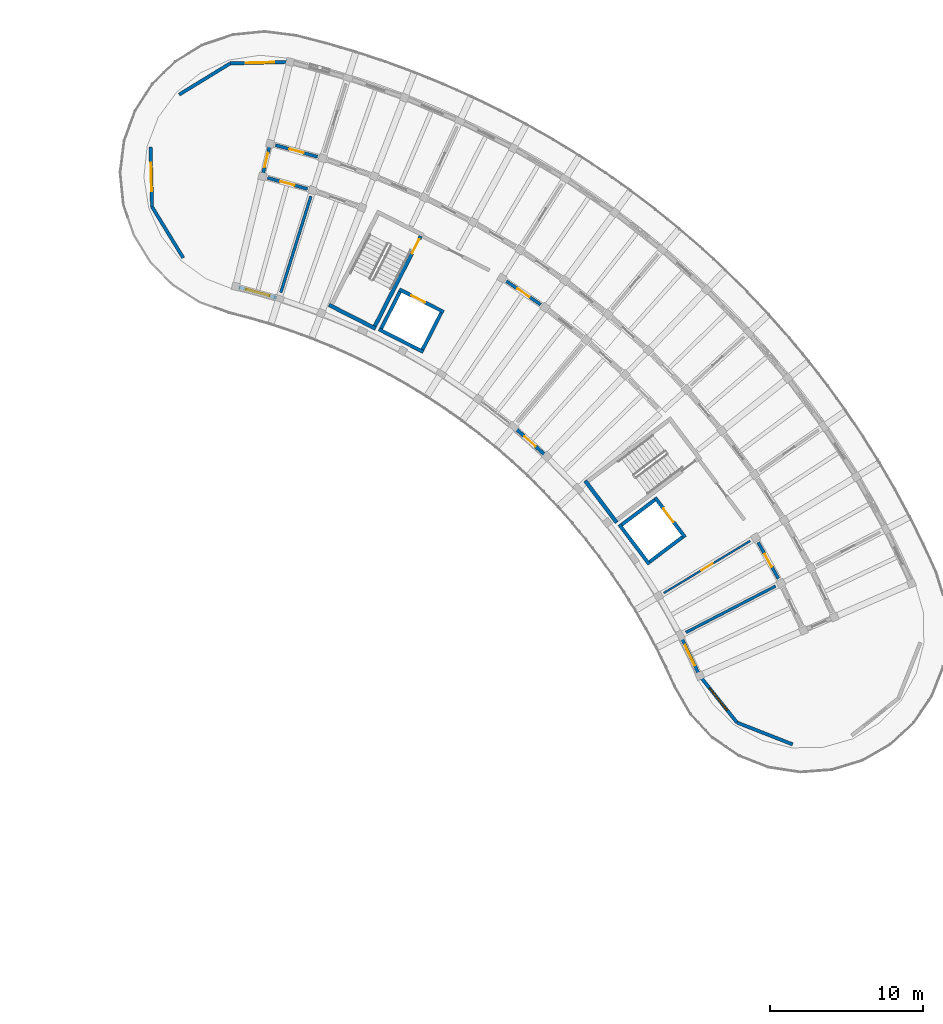
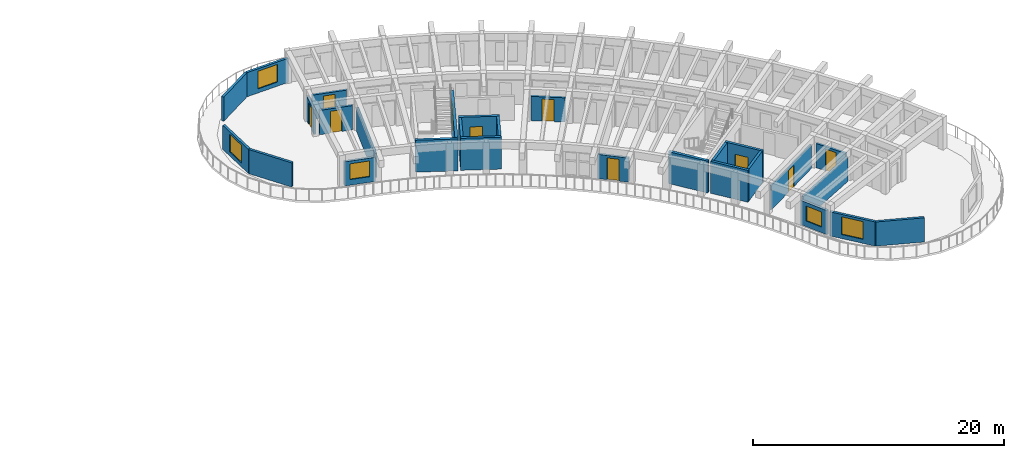
# One storey, part 23 of 41: 28 walls, 10 doors, 5 windows, 15 openings.
"""IFC4 building model written with IfcOpenShell, lengths in metres."""

from ifc_helpers import new_model, si_unit, direction, frame, frame_2d, origin, place, context, subcontext, project, spatial, rectangle, extrude, material, layer, layer_set, type_object, element, fill, save


model = new_model("IFC4")

# Units and contexts
model_context = context("Model", 3, precision=1e-05, world=origin(), true_north=direction((0.0, 1.0)))
body_context = subcontext(model_context, "Body", "Model", "MODEL_VIEW")
ifc_project = project(units=[si_unit("LENGTHUNIT", "METRE"), si_unit("AREAUNIT", "SQUARE_METRE"), si_unit("VOLUMEUNIT", "CUBIC_METRE"), si_unit("PLANEANGLEUNIT", "RADIAN"), si_unit("MASSUNIT", "GRAM", prefix="KILO")], contexts=[model_context])

# Site, building, storey
site_placement = place(None, origin())
site = spatial("IfcSite", under=ifc_project, at=site_placement, CompositionType="ELEMENT")
building_placement = place(site_placement, origin())
building = spatial("IfcBuilding", under=site, at=building_placement, Name="Tanwirah Colonnade Gardens", CompositionType="ELEMENT")
storey_placement = place(building_placement, frame((0.0, 0.0, 35.719970703125)))
storey = spatial("IfcBuildingStorey", under=building, at=storey_placement, Name="L10", CompositionType="ELEMENT", Elevation=35.719970703125)

# Wall, opening, window
ifc_material_1 = material(Name="Limestone architectural precast concrete C40/50", Category="masonry")
ifc_layer_1 = layer(ifc_material_1, 0.219970703125)
ifc_layer_set_1 = layer_set([ifc_layer_1], Name="Limestone architectural precast concrete C40/50")
wall_type_1 = type_object("IfcWallType", Name="EW-PC220", PredefinedType="SOLIDWALL", material=ifc_layer_set_1)
wall_1_placement = place(storey_placement, frame((161.651611328125, 78.16259765625, 0.0), z_axis=(0.0, 0.0, 1.0), x_axis=(-0.429631962494, 0.903004084599, 0.0)))
wall_1 = element("IfcWall", 1, at=wall_1_placement, inside=storey, type_object=wall_type_1, Name="Block B L10 IN Precast Facade Wall 2", PredefinedType="SOLIDWALL", context=body_context, shape_type="SweptSolid", body=[
    extrude(rectangle(XDim=2.545166015625, YDim=0.219970703125, at=frame_2d((1.2724609375, 0.0))), origin(), (0.0, 0.0, 1.0), 2.35498046875),
])
opening_1_placement = place(wall_1_placement, frame((0.53271484375, 0.0, 0.550048828125)))
opening_1 = element("IfcOpeningElement", 2, at=opening_1_placement, cuts=wall_1, Name="Opening WIN-U09", PredefinedType="OPENING", context=body_context, shape_type="SweptSolid", body=[
    extrude(rectangle(XDim=1.47998046875, YDim=1.4599609375, at=frame_2d((0.739990234375, 0.72998046875))), frame((0.0, 0.119873046875, 0.0), z_axis=(0.0, -1.0, 0.0), x_axis=(1.0, 0.0, 0.0)), (0.0, 0.0, 1.0), 0.239990234375),
])
ifc_material_2 = material(Name="Thermally broken bronze aluminium and solar low-E double glazing", Category="aluminium")
window_type_1 = type_object("IfcWindowType", Name="WIN-U09", PartitioningType="DOUBLE_PANEL_VERTICAL", PredefinedType="WINDOW", material=ifc_material_2)
window_1_placement = place(opening_1_placement, origin())
window_1 = element("IfcWindow", 3, at=window_1_placement, inside=storey, type_object=window_type_1, Name="Facade window B-L10-IN-02", OverallHeight=1.4599609375, OverallWidth=1.47998046875, PartitioningType="SINGLE_PANEL", PredefinedType="WINDOW", context=body_context, shape_type="SweptSolid", body=[
    extrude(rectangle(XDim=1.47998046875, YDim=1.4599609375, at=frame_2d((0.739990234375, 0.72998046875))), frame((0.0, 0.030029296875, 0.0), z_axis=(0.0, -1.0, 0.0), x_axis=(1.0, 0.0, 0.0)), (0.0, 0.0, 1.0), 0.06005859375),
])
fill(opening_1, window_1)

# Wall, opening, door
wall_2_placement = place(storey_placement, frame((151.589599609375, 92.441162109375, 0.0), z_axis=(0.0, 0.0, 1.0), x_axis=(-0.744432975017, 0.667697196121, 0.0)))
wall_2 = element("IfcWall", 4, at=wall_2_placement, inside=storey, type_object=wall_type_1, Name="Block B L10 IN Precast Facade Wall 8", PredefinedType="SOLIDWALL", context=body_context, shape_type="SweptSolid", body=[
    extrude(rectangle(XDim=2.545166015625, YDim=0.219970703125, at=frame_2d((1.2724609375, 0.0))), origin(), (0.0, 0.0, 1.0), 2.35498046875),
])
opening_2_placement = place(wall_2_placement, frame((0.78271484375, 0.0, 0.0)))
opening_2 = element("IfcOpeningElement", 5, at=opening_2_placement, cuts=wall_2, Name="Opening L10-ED116", PredefinedType="OPENING", context=body_context, shape_type="SweptSolid", body=[
    extrude(rectangle(XDim=0.97998046875, YDim=2.1201171875, at=frame_2d((0.489990234375, 1.06005859375))), frame((0.0, 0.119873046875, 0.0), z_axis=(0.0, -1.0, 0.0), x_axis=(1.0, 0.0, 0.0)), (0.0, 0.0, 1.0), 0.239990234375),
])
ifc_material_3 = material(Name="Bronze aluminium glazed balcony door", Category="aluminium")
door_type_1 = type_object("IfcDoorType", Name="ED-BAL098", OperationType="NOTDEFINED", PredefinedType="DOOR", material=ifc_material_3)
door_1_placement = place(opening_2_placement, origin())
door_1 = element("IfcDoor", 6, at=door_1_placement, inside=storey, type_object=door_type_1, Name="Balcony glazed door L10-ED116", OperationType="SINGLE_SWING_LEFT", OverallHeight=2.1201171875, OverallWidth=0.97998046875, PredefinedType="DOOR", context=body_context, shape_type="SweptSolid", body=[
    extrude(rectangle(XDim=0.97998046875, YDim=2.1201171875, at=frame_2d((0.489990234375, 1.06005859375))), frame((0.0, 0.02490234375, 0.0), z_axis=(0.0, -1.0, 0.0), x_axis=(1.0, 0.0, 0.0)), (0.0, 0.0, 1.0), 0.050048828125),
])
fill(opening_2, door_1)

# Wall, opening, window
wall_3_placement = place(storey_placement, frame((134.083984375, 102.67529296875, 0.0), z_axis=(0.0, 0.0, 1.0), x_axis=(-0.963872968618, 0.26636234788, 0.0)))
wall_3 = element("IfcWall", 7, at=wall_3_placement, inside=storey, type_object=wall_type_1, Name="Block B L10 IN Precast Facade Wall 15", PredefinedType="SOLIDWALL", context=body_context, shape_type="SweptSolid", body=[
    extrude(rectangle(XDim=2.54541015625, YDim=0.219970703125, at=frame_2d((1.272705078125, 0.0))), origin(), (0.0, 0.0, 1.0), 2.35498046875),
])
opening_3_placement = place(wall_3_placement, frame((0.47265625, 0.0, 0.550048828125)))
opening_3 = element("IfcOpeningElement", 8, at=opening_3_placement, cuts=wall_3, Name="Opening WIN-U12", PredefinedType="OPENING", context=body_context, shape_type="SweptSolid", body=[
    extrude(rectangle(XDim=1.60009765625, YDim=1.534912109375, at=frame_2d((0.800048828125, 0.767578125))), frame((0.0, 0.119873046875, 0.0), z_axis=(0.0, -1.0, 0.0), x_axis=(1.0, 0.0, 0.0)), (0.0, 0.0, 1.0), 0.239990234375),
])
window_type_2 = type_object("IfcWindowType", Name="WIN-U12", PartitioningType="DOUBLE_PANEL_VERTICAL", PredefinedType="WINDOW", material=ifc_material_2)
window_2_placement = place(opening_3_placement, origin())
window_2 = element("IfcWindow", 9, at=window_2_placement, inside=storey, type_object=window_type_2, Name="Facade window B-L10-IN-15", OverallHeight=1.534912109375, OverallWidth=1.60009765625, PartitioningType="SINGLE_PANEL", PredefinedType="WINDOW", context=body_context, shape_type="SweptSolid", body=[
    extrude(rectangle(XDim=1.60009765625, YDim=1.534912109375, at=frame_2d((0.800048828125, 0.767578125))), frame((0.0, 0.030029296875, 0.0), z_axis=(0.0, -1.0, 0.0), x_axis=(1.0, 0.0, 0.0)), (0.0, 0.0, 1.0), 0.06005859375),
])
fill(opening_3, window_2)

# Wall
wall_4_placement = place(storey_placement, frame((167.819580078125, 73.47900390625, 0.0), z_axis=(0.0, 0.0, 1.0), x_axis=(-0.930784898276, 0.365567330517, 0.0)))
element("IfcWall", 10, at=wall_4_placement, inside=storey, type_object=wall_type_1, Name="Block B L10 START Rounded End Wall 4", PredefinedType="SOLIDWALL", context=body_context, shape_type="SweptSolid", body=[
    extrude(rectangle(XDim=3.908203125, YDim=0.219970703125, at=frame_2d((1.9541015625, 0.0))), origin(), (0.0, 0.0, 1.0), 2.35498046875),
])

# Wall, opening, window
wall_5_placement = place(storey_placement, frame((164.181884765625, 74.90771484375, 0.0), z_axis=(0.0, 0.0, 1.0), x_axis=(-0.623269373034, 0.782007217765, 0.0)))
wall_5 = element("IfcWall", 11, at=wall_5_placement, inside=storey, type_object=wall_type_1, Name="Block B L10 START Rounded End Wall 5", PredefinedType="SOLIDWALL", context=body_context, shape_type="SweptSolid", body=[
    extrude(rectangle(XDim=3.908203125, YDim=0.219970703125, at=frame_2d((1.9541015625, 0.0))), origin(), (0.0, 0.0, 1.0), 2.35498046875),
])
opening_4_placement = place(wall_5_placement, frame((1.029052734375, 0.0, 0.39990234375)))
opening_4 = element("IfcOpeningElement", 12, at=opening_4_placement, cuts=wall_5, Name="Opening WIN-END1", PredefinedType="OPENING", context=body_context, shape_type="SweptSolid", body=[
    extrude(rectangle(XDim=1.85009765625, YDim=1.719970703125, at=frame_2d((0.925048828125, 0.85986328125))), frame((0.0, 0.119873046875, 0.0), z_axis=(0.0, -1.0, 0.0), x_axis=(1.0, 0.0, 0.0)), (0.0, 0.0, 1.0), 0.239990234375),
])
window_type_3 = type_object("IfcWindowType", Name="WIN-END1", PartitioningType="TRIPLE_PANEL_VERTICAL", PredefinedType="WINDOW", material=ifc_material_2)
window_3_placement = place(opening_4_placement, origin())
window_3 = element("IfcWindow", 13, at=window_3_placement, inside=storey, type_object=window_type_3, Name="Rounded corner window B-L10-START-5", OverallHeight=1.719970703125, OverallWidth=1.85009765625, PartitioningType="SINGLE_PANEL", PredefinedType="WINDOW", context=body_context, shape_type="SweptSolid", body=[
    extrude(rectangle(XDim=1.85009765625, YDim=1.719970703125, at=frame_2d((0.925048828125, 0.85986328125))), frame((0.0, 0.030029296875, 0.0), z_axis=(0.0, -1.0, 0.0), x_axis=(1.0, 0.0, 0.0)), (0.0, 0.0, 1.0), 0.06005859375),
])
fill(opening_4, window_3)

# Wall
wall_6_placement = place(storey_placement, frame((127.98583984375, 105.27978515625, 0.0), z_axis=(0.0, 0.0, 1.0), x_axis=(-0.521652131435, 0.85315828178, 0.0)))
element("IfcWall", 14, at=wall_6_placement, inside=storey, type_object=wall_type_1, Name="Block B L10 END Rounded End Wall 1", PredefinedType="SOLIDWALL", context=body_context, shape_type="SweptSolid", body=[
    extrude(rectangle(XDim=3.908447265625, YDim=0.219970703125, at=frame_2d((1.9541015625, 0.0))), origin(), (0.0, 0.0, 1.0), 2.35498046875),
])

# Wall, opening, window
wall_7_placement = place(storey_placement, frame((125.947021484375, 108.6142578125, 0.0), z_axis=(0.0, 0.0, 1.0), x_axis=(-0.02523880178, 0.999681450706, 0.0)))
wall_7 = element("IfcWall", 15, at=wall_7_placement, inside=storey, type_object=wall_type_1, Name="Block B L10 END Rounded End Wall 2", PredefinedType="SOLIDWALL", context=body_context, shape_type="SweptSolid", body=[
    extrude(rectangle(XDim=3.907958984375, YDim=0.219970703125, at=frame_2d((1.9541015625, 0.0))), origin(), (0.0, 0.0, 1.0), 2.35498046875),
])
opening_5_placement = place(wall_7_placement, frame((1.029052734375, 0.0, 0.39990234375)))
opening_5 = element("IfcOpeningElement", 16, at=opening_5_placement, cuts=wall_7, Name="Opening WIN-END1", PredefinedType="OPENING", context=body_context, shape_type="SweptSolid", body=[
    extrude(rectangle(XDim=1.85009765625, YDim=1.719970703125, at=frame_2d((0.925048828125, 0.85986328125))), frame((0.0, 0.119873046875, 0.0), z_axis=(0.0, -1.0, 0.0), x_axis=(1.0, 0.0, 0.0)), (0.0, 0.0, 1.0), 0.239990234375),
])
window_4_placement = place(opening_5_placement, origin())
window_4 = element("IfcWindow", 17, at=window_4_placement, inside=storey, type_object=window_type_3, Name="Rounded corner window B-L10-END-2", OverallHeight=1.719970703125, OverallWidth=1.85009765625, PartitioningType="SINGLE_PANEL", PredefinedType="WINDOW", context=body_context, shape_type="SweptSolid", body=[
    extrude(rectangle(XDim=1.85009765625, YDim=1.719970703125, at=frame_2d((0.925048828125, 0.85986328125))), frame((0.0, 0.030029296875, 0.0), z_axis=(0.0, -1.0, 0.0), x_axis=(1.0, 0.0, 0.0)), (0.0, 0.0, 1.0), 0.06005859375),
])
fill(opening_5, window_4)

# Wall
wall_8_placement = place(storey_placement, frame((127.716552734375, 115.953857421875, 0.0), z_axis=(0.0, 0.0, 1.0), x_axis=(0.85314128216, 0.521679933171, 0.0)))
element("IfcWall", 18, at=wall_8_placement, inside=storey, type_object=wall_type_1, Name="Block B L10 END Rounded End Wall 4", PredefinedType="SOLIDWALL", context=body_context, shape_type="SweptSolid", body=[
    extrude(rectangle(XDim=3.908203125, YDim=0.219970703125, at=frame_2d((1.9541015625, 0.0))), origin(), (0.0, 0.0, 1.0), 2.35498046875),
])

# Wall, opening, window
wall_9_placement = place(storey_placement, frame((131.05078125, 117.99267578125, 0.0), z_axis=(0.0, 0.0, 1.0), x_axis=(0.999683064576, 0.025174796915, 0.0)))
wall_9 = element("IfcWall", 19, at=wall_9_placement, inside=storey, type_object=wall_type_1, Name="Block B L10 END Rounded End Wall 5", PredefinedType="SOLIDWALL", context=body_context, shape_type="SweptSolid", body=[
    extrude(rectangle(XDim=3.908203125, YDim=0.219970703125, at=frame_2d((1.9541015625, 0.0))), origin(), (0.0, 0.0, 1.0), 2.35498046875),
])
opening_6_placement = place(wall_9_placement, frame((1.029052734375, 0.0, 0.39990234375)))
opening_6 = element("IfcOpeningElement", 20, at=opening_6_placement, cuts=wall_9, Name="Opening WIN-END1", PredefinedType="OPENING", context=body_context, shape_type="SweptSolid", body=[
    extrude(rectangle(XDim=1.85009765625, YDim=1.719970703125, at=frame_2d((0.925048828125, 0.85986328125))), frame((0.0, 0.119873046875, 0.0), z_axis=(0.0, -1.0, 0.0), x_axis=(1.0, 0.0, 0.0)), (0.0, 0.0, 1.0), 0.239990234375),
])
window_5_placement = place(opening_6_placement, origin())
window_5 = element("IfcWindow", 21, at=window_5_placement, inside=storey, type_object=window_type_3, Name="Rounded corner window B-L10-END-5", OverallHeight=1.719970703125, OverallWidth=1.85009765625, PartitioningType="SINGLE_PANEL", PredefinedType="WINDOW", context=body_context, shape_type="SweptSolid", body=[
    extrude(rectangle(XDim=1.85009765625, YDim=1.719970703125, at=frame_2d((0.925048828125, 0.85986328125))), frame((0.0, 0.030029296875, 0.0), z_axis=(0.0, -1.0, 0.0), x_axis=(1.0, 0.0, 0.0)), (0.0, 0.0, 1.0), 0.06005859375),
])
fill(opening_6, window_5)

# Wall, opening, door
ifc_material_4 = material(Name="Precast concrete C40/50", Category="concrete")
ifc_layer_2 = layer(ifc_material_4, 0.205078125)
ifc_layer_set_2 = layer_set([ifc_layer_2], Name="Precast concrete C40/50")
wall_type_2 = type_object("IfcWallType", Name="IW-CORR205", PredefinedType="PARTITIONING", material=ifc_layer_set_2)
wall_10_placement = place(storey_placement, frame((166.89013671875, 84.313232421875, 0.0), z_axis=(0.0, 0.0, 1.0), x_axis=(-0.48819576874, 0.872734147025, 0.0)))
wall_10 = element("IfcWall", 22, at=wall_10_placement, inside=storey, type_object=wall_type_2, Name="Block B L10 IN Corridor Wall 3", PredefinedType="PARTITIONING", context=body_context, shape_type="SweptSolid", body=[
    extrude(rectangle(XDim=2.718017578125, YDim=0.205078125, at=frame_2d((1.35888671875, 0.0))), origin(), (0.0, 0.0, 1.0), 2.3701171875),
])
opening_7_placement = place(wall_10_placement, frame((0.884033203125, 0.0, 0.0)))
opening_7 = element("IfcOpeningElement", 23, at=opening_7_placement, cuts=wall_10, Name="Opening L10-AD1198", PredefinedType="OPENING", context=body_context, shape_type="SweptSolid", body=[
    extrude(rectangle(XDim=0.949951171875, YDim=2.1298828125, at=frame_2d((0.47509765625, 1.06494140625))), frame((0.0, 0.112548828125, 0.0), z_axis=(0.0, -1.0, 0.0), x_axis=(1.0, 0.0, 0.0)), (0.0, 0.0, 1.0), 0.22509765625),
])
ifc_material_5 = material(Name="Solid oak fire-resisting apartment entrance door")
door_type_2 = type_object("IfcDoorType", Name="ID-FLT095", OperationType="NOTDEFINED", PredefinedType="DOOR", material=ifc_material_5)
door_2_placement = place(opening_7_placement, origin())
door_2 = element("IfcDoor", 24, at=door_2_placement, inside=storey, type_object=door_type_2, Name="Apartment corridor door L10-AD1198", OperationType="SINGLE_SWING_LEFT", OverallHeight=2.1298828125, OverallWidth=0.949951171875, PredefinedType="DOOR", context=body_context, shape_type="SweptSolid", body=[
    extrude(rectangle(XDim=0.949951171875, YDim=2.1298828125, at=frame_2d((0.47509765625, 1.06494140625))), frame((0.0, 0.02490234375, 0.0), z_axis=(0.0, -1.0, 0.0), x_axis=(1.0, 0.0, 0.0)), (0.0, 0.0, 1.0), 0.050048828125),
])
fill(opening_7, door_2)

wall_11_placement = place(storey_placement, frame((151.35009765625, 102.226318359375, 0.0), z_axis=(0.0, 0.0, 1.0), x_axis=(-0.825752009056, 0.56403334967, 0.0)))
wall_11 = element("IfcWall", 25, at=wall_11_placement, inside=storey, type_object=wall_type_2, Name="Block B L10 IN Corridor Wall 10", PredefinedType="PARTITIONING", context=body_context, shape_type="SweptSolid", body=[
    extrude(rectangle(XDim=2.71826171875, YDim=0.205078125, at=frame_2d((1.359130859375, 0.0))), origin(), (0.0, 0.0, 1.0), 2.3701171875),
])
opening_8_placement = place(wall_11_placement, frame((0.8740234375, 0.0, 0.0)))
opening_8 = element("IfcOpeningElement", 26, at=opening_8_placement, cuts=wall_11, Name="Opening L10-AD1213", PredefinedType="OPENING", context=body_context, shape_type="SweptSolid", body=[
    extrude(rectangle(XDim=0.969970703125, YDim=2.14990234375, at=frame_2d((0.48486328125, 1.074951171875))), frame((0.0, 0.112548828125, 0.0), z_axis=(0.0, -1.0, 0.0), x_axis=(1.0, 0.0, 0.0)), (0.0, 0.0, 1.0), 0.22509765625),
])
door_type_3 = type_object("IfcDoorType", Name="ID-FLT097", OperationType="NOTDEFINED", PredefinedType="DOOR", material=ifc_material_5)
door_3_placement = place(opening_8_placement, origin())
door_3 = element("IfcDoor", 27, at=door_3_placement, inside=storey, type_object=door_type_3, Name="Apartment corridor door L10-AD1213", OperationType="SINGLE_SWING_RIGHT", OverallHeight=2.14990234375, OverallWidth=0.969970703125, PredefinedType="DOOR", context=body_context, shape_type="SweptSolid", body=[
    extrude(rectangle(XDim=0.969970703125, YDim=2.14990234375, at=frame_2d((0.48486328125, 1.074951171875))), frame((0.0, 0.02490234375, 0.0), z_axis=(0.0, -1.0, 0.0), x_axis=(1.0, 0.0, 0.0)), (0.0, 0.0, 1.0), 0.050048828125),
])
fill(opening_8, door_3)

wall_12_placement = place(storey_placement, frame((136.765869140625, 111.888671875, 0.0), z_axis=(0.0, 0.0, 1.0), x_axis=(-0.963890789093, 0.266297853356, 0.0)))
wall_12 = element("IfcWall", 28, at=wall_12_placement, inside=storey, type_object=wall_type_2, Name="Block B L10 OUT Corridor Wall 15", PredefinedType="PARTITIONING", context=body_context, shape_type="SweptSolid", body=[
    extrude(rectangle(XDim=2.863037109375, YDim=0.205078125, at=frame_2d((1.431640625, 0.0))), origin(), (0.0, 0.0, 1.0), 2.3701171875),
])
opening_9_placement = place(wall_12_placement, frame((0.95654296875, 0.0, 0.0)))
opening_9 = element("IfcOpeningElement", 29, at=opening_9_placement, cuts=wall_12, Name="Opening L10-AD1222", PredefinedType="OPENING", context=body_context, shape_type="SweptSolid", body=[
    extrude(rectangle(XDim=0.949951171875, YDim=2.1298828125, at=frame_2d((0.47509765625, 1.06494140625))), frame((0.0, 0.112548828125, 0.0), z_axis=(0.0, -1.0, 0.0), x_axis=(1.0, 0.0, 0.0)), (0.0, 0.0, 1.0), 0.22509765625),
])
door_4_placement = place(opening_9_placement, origin())
door_4 = element("IfcDoor", 30, at=door_4_placement, inside=storey, type_object=door_type_2, Name="Apartment corridor door L10-AD1222", OperationType="SINGLE_SWING_RIGHT", OverallHeight=2.1298828125, OverallWidth=0.949951171875, PredefinedType="DOOR", context=body_context, shape_type="SweptSolid", body=[
    extrude(rectangle(XDim=0.949951171875, YDim=2.1298828125, at=frame_2d((0.47509765625, 1.06494140625))), frame((0.0, 0.02490234375, 0.0), z_axis=(0.0, -1.0, 0.0), x_axis=(1.0, 0.0, 0.0)), (0.0, 0.0, 1.0), 0.050048828125),
])
fill(opening_9, door_4)

wall_13_placement = place(storey_placement, frame((136.1103515625, 109.78857421875, 0.0), z_axis=(0.0, 0.0, 1.0), x_axis=(-0.96388375821, 0.266323301006, 0.0)))
wall_13 = element("IfcWall", 31, at=wall_13_placement, inside=storey, type_object=wall_type_2, Name="Block B L10 IN Corridor Wall 15", PredefinedType="PARTITIONING", context=body_context, shape_type="SweptSolid", body=[
    extrude(rectangle(XDim=2.718017578125, YDim=0.205078125, at=frame_2d((1.35888671875, 0.0))), origin(), (0.0, 0.0, 1.0), 2.3701171875),
])
opening_10_placement = place(wall_13_placement, frame((0.884033203125, 0.0, 0.0)))
opening_10 = element("IfcOpeningElement", 32, at=opening_10_placement, cuts=wall_13, Name="Opening L10-AD1223", PredefinedType="OPENING", context=body_context, shape_type="SweptSolid", body=[
    extrude(rectangle(XDim=0.949951171875, YDim=2.1298828125, at=frame_2d((0.47509765625, 1.06494140625))), frame((0.0, 0.112548828125, 0.0), z_axis=(0.0, -1.0, 0.0), x_axis=(1.0, 0.0, 0.0)), (0.0, 0.0, 1.0), 0.22509765625),
])
door_5_placement = place(opening_10_placement, origin())
door_5 = element("IfcDoor", 33, at=door_5_placement, inside=storey, type_object=door_type_2, Name="Apartment corridor door L10-AD1223", OperationType="SINGLE_SWING_LEFT", OverallHeight=2.1298828125, OverallWidth=0.949951171875, PredefinedType="DOOR", context=body_context, shape_type="SweptSolid", body=[
    extrude(rectangle(XDim=0.949951171875, YDim=2.1298828125, at=frame_2d((0.47509765625, 1.06494140625))), frame((0.0, 0.02490234375, 0.0), z_axis=(0.0, -1.0, 0.0), x_axis=(1.0, 0.0, 0.0)), (0.0, 0.0, 1.0), 0.050048828125),
])
fill(opening_10, door_5)

wall_14_placement = place(storey_placement, frame((133.164794921875, 110.654296875, 0.0), z_axis=(0.0, 0.0, 1.0), x_axis=(0.23437535251, 0.972146179407, 0.0)))
wall_14 = element("IfcWall", 34, at=wall_14_placement, inside=storey, type_object=wall_type_2, Name="Block B L10 CE Corner Suite Corridor Wall", PredefinedType="PARTITIONING", context=body_context, shape_type="SweptSolid", body=[
    extrude(rectangle(XDim=2.10009765625, YDim=0.205078125, at=frame_2d((1.050048828125, 0.0))), origin(), (0.0, 0.0, 1.0), 2.3701171875),
])
opening_11_placement = place(wall_14_placement, frame((0.570068359375, 0.0, 0.0)))
opening_11 = element("IfcOpeningElement", 35, at=opening_11_placement, cuts=wall_14, Name="Opening L10-CD1225", PredefinedType="OPENING", context=body_context, shape_type="SweptSolid", body=[
    extrude(rectangle(XDim=0.949951171875, YDim=2.1298828125, at=frame_2d((0.47509765625, 1.06494140625))), frame((0.0, 0.112548828125, 0.0), z_axis=(0.0, -1.0, 0.0), x_axis=(1.0, 0.0, 0.0)), (0.0, 0.0, 1.0), 0.22509765625),
])
door_6_placement = place(opening_11_placement, origin())
door_6 = element("IfcDoor", 36, at=door_6_placement, inside=storey, type_object=door_type_2, Name="Corner suite entrance door L10-CD1225", OperationType="SINGLE_SWING_RIGHT", OverallHeight=2.1298828125, OverallWidth=0.949951171875, PredefinedType="DOOR", context=body_context, shape_type="SweptSolid", body=[
    extrude(rectangle(XDim=0.949951171875, YDim=2.1298828125, at=frame_2d((0.47509765625, 1.06494140625))), frame((0.0, 0.02490234375, 0.0), z_axis=(0.0, -1.0, 0.0), x_axis=(1.0, 0.0, 0.0)), (0.0, 0.0, 1.0), 0.050048828125),
])
fill(opening_11, door_6)

# Walls
ifc_layer_3 = layer(ifc_material_4, 0.18505859375)
ifc_layer_set_3 = layer_set([ifc_layer_3], Name="Precast concrete C40/50")
wall_type_3 = type_object("IfcWallType", Name="IW-DEM185", PredefinedType="PARTITIONING", material=ifc_layer_set_3)
wall_15_placement = place(storey_placement, frame((160.842529296875, 80.793701171875, 0.0), z_axis=(0.0, 0.0, 1.0), x_axis=(0.888346696024, 0.459173330741, 0.0)))
element("IfcWall", 37, at=wall_15_placement, inside=storey, type_object=wall_type_3, Name="Block B L10 Inner Radial Partition 2", PredefinedType="PARTITIONING", context=body_context, shape_type="SweptSolid", body=[
    extrude(rectangle(XDim=6.599853515625, YDim=0.18505859375, at=frame_2d((3.2998046875, 0.0))), origin(), (0.0, 0.0, 1.0), 2.3701171875),
])
wall_16_placement = place(storey_placement, frame((134.362060546875, 103.01318359375, 0.0), z_axis=(0.0, 0.0, 1.0), x_axis=(0.2979590431, 0.954578655028, 0.0)))
element("IfcWall", 38, at=wall_16_placement, inside=storey, type_object=wall_type_3, Name="Block B L10 Inner Radial Partition 14", PredefinedType="PARTITIONING", context=body_context, shape_type="SweptSolid", body=[
    extrude(rectangle(XDim=6.60009765625, YDim=0.18505859375, at=frame_2d((3.300048828125, 0.0))), origin(), (0.0, 0.0, 1.0), 2.3701171875),
])

# Wall, opening, door
ifc_material_6 = material(Name="Moisture-resistant gypsum stud partition")
ifc_layer_4 = layer(ifc_material_6, 0.125)
ifc_layer_set_4 = layer_set([ifc_layer_4], Name="Moisture-resistant gypsum stud partition")
wall_type_4 = type_object("IfcWallType", Name="IW-INT125", PredefinedType="PARTITIONING", material=ifc_layer_set_4)
wall_17_placement = place(storey_placement, frame((159.399169921875, 83.3740234375, 0.0), z_axis=(0.0, 0.0, 1.0), x_axis=(0.85616819337, 0.516697227263, 0.0)))
wall_17 = element("IfcWall", 39, at=wall_17_placement, inside=storey, type_object=wall_type_4, Name="Block B L10 Inner Radial Partition 3", PredefinedType="PARTITIONING", context=body_context, shape_type="SweptSolid", body=[
    extrude(rectangle(XDim=6.599853515625, YDim=0.125, at=frame_2d((3.2998046875, 0.0))), origin(), (0.0, 0.0, 1.0), 2.3701171875),
])
opening_12_placement = place(wall_17_placement, frame((2.864990234375, 0.0, 0.0)))
opening_12 = element("IfcOpeningElement", 40, at=opening_12_placement, cuts=wall_17, Name="Opening L10-RD1199", PredefinedType="OPENING", context=body_context, shape_type="SweptSolid", body=[
    extrude(rectangle(XDim=0.8701171875, YDim=2.080078125, at=frame_2d((0.43505859375, 1.0400390625))), frame((0.0, 0.072509765625, 0.0), z_axis=(0.0, -1.0, 0.0), x_axis=(1.0, 0.0, 0.0)), (0.0, 0.0, 1.0), 0.14501953125),
])
ifc_material_7 = material(Name="Painted hardwood study door", Category="wood")
door_type_4 = type_object("IfcDoorType", Name="ID-RM087", OperationType="NOTDEFINED", PredefinedType="DOOR", material=ifc_material_7)
door_7_placement = place(opening_12_placement, origin())
door_7 = element("IfcDoor", 41, at=door_7_placement, inside=storey, type_object=door_type_4, Name="Internal apartment door L10-RD1199", OperationType="SINGLE_SWING_LEFT", OverallHeight=2.080078125, OverallWidth=0.8701171875, PredefinedType="DOOR", context=body_context, shape_type="SweptSolid", body=[
    extrude(rectangle(XDim=0.8701171875, YDim=2.080078125, at=frame_2d((0.43505859375, 1.0400390625))), frame((0.0, 0.02490234375, 0.0), z_axis=(0.0, -1.0, 0.0), x_axis=(1.0, 0.0, 0.0)), (0.0, 0.0, 1.0), 0.050048828125),
])
fill(opening_12, door_7)

# Walls
ifc_material_8 = material(Name="Concrete C45/55", Category="concrete")
ifc_layer_5 = layer(ifc_material_8, 0.25)
ifc_layer_set_5 = layer_set([ifc_layer_5], Name="Concrete C45/55")
wall_type_5 = type_object("IfcWallType", Name="SW-CORE250", PredefinedType="SHEAR", material=ifc_layer_set_5)
for number, where, z_axis, x_axis, name in (
    (42, (154.2607421875, 90.710693359375, 0.0), (0.0, 0.0, 1.0), (0.601825826579, -0.798627368967, 0.0), "CORE-B1 L10 Stair Shaft Shear Wall FAR"),
    (43, (137.51953125, 102.203369140625, 0.0), (0.0, 0.0, 1.0), (0.891003540237, -0.453996356025, 0.0), "CORE-B2 L10 Stair Shaft Shear Wall FAR"),
):
    element("IfcWall", number, at=place(storey_placement, frame(where, z_axis=z_axis, x_axis=x_axis)), inside=storey, type_object=wall_type_5, Name=name, PredefinedType="SHEAR", context=body_context, shape_type="SweptSolid", body=[
        extrude(rectangle(XDim=3.420166015625, YDim=0.25, at=frame_2d((1.7099609375, 0.0))), origin(), (0.0, 0.0, 1.0), 3.110107421875),
    ])

# Wall, opening, door
wall_18_placement = place(storey_placement, frame((143.508544921875, 106.699462890625, 0.0), z_axis=(0.0, 0.0, 1.0), x_axis=(-0.453992276384, -0.891005618941, 0.0)))
wall_18 = element("IfcWall", 44, at=wall_18_placement, inside=storey, type_object=wall_type_5, Name="CORE-B2 L10 Stair Shaft Shear Wall RIGHT", PredefinedType="SHEAR", context=body_context, shape_type="SweptSolid", body=[
    extrude(rectangle(XDim=6.599853515625, YDim=0.25, at=frame_2d((3.2998046875, 0.0))), origin(), (0.0, 0.0, 1.0), 3.110107421875),
])
opening_13_placement = place(wall_18_placement, frame((0.219970703125, 0.0, 0.0)))
opening_13 = element("IfcOpeningElement", 45, at=opening_13_placement, cuts=wall_18, Name="Opening L10-SD104", PredefinedType="OPENING", context=body_context, shape_type="SweptSolid", body=[
    extrude(rectangle(XDim=1.050048828125, YDim=2.14990234375, at=frame_2d((0.52490234375, 1.074951171875))), frame((0.0, 0.135009765625, 0.0), z_axis=(0.0, -1.0, 0.0), x_axis=(1.0, 0.0, 0.0)), (0.0, 0.0, 1.0), 0.27001953125),
])
ifc_material_9 = material(Name="Steel fire-resisting stair enclosure door", Category="steel")
door_type_5 = type_object("IfcDoorType", Name="ID-ST105", OperationType="NOTDEFINED", PredefinedType="DOOR", material=ifc_material_9)
door_8_placement = place(opening_13_placement, origin())
door_8 = element("IfcDoor", 46, at=door_8_placement, inside=storey, type_object=door_type_5, Name="CORE-B2 L10 Stair Fire Door L10-SD104", OperationType="SINGLE_SWING_LEFT", OverallHeight=2.14990234375, OverallWidth=1.050048828125, PredefinedType="DOOR", context=body_context, shape_type="SweptSolid", body=[
    extrude(rectangle(XDim=1.050048828125, YDim=2.14990234375, at=frame_2d((0.52490234375, 1.074951171875))), frame((0.0, 0.02490234375, 0.0), z_axis=(0.0, -1.0, 0.0), x_axis=(1.0, 0.0, 0.0)), (0.0, 0.0, 1.0), 0.050048828125),
])
fill(opening_13, door_8)

ifc_layer_6 = layer(ifc_material_8, 0.22998046875)
ifc_layer_set_6 = layer_set([ifc_layer_6], Name="Concrete C45/55")
wall_type_6 = type_object("IfcWallType", Name="SW-LIFT230", PredefinedType="SHEAR", material=ifc_layer_set_6)
wall_19_placement = place(storey_placement, frame((158.827392578125, 89.618896484375, 0.0), z_axis=(0.0, 0.0, 1.0), x_axis=(0.601819781152, -0.798631924615, 0.0)))
wall_19 = element("IfcWall", 47, at=wall_19_placement, inside=storey, type_object=wall_type_6, Name="CORE-B1 L10 Lift Shaft Wall FRONT", PredefinedType="SHEAR", context=body_context, shape_type="SweptSolid", body=[
    extrude(rectangle(XDim=3.260009765625, YDim=0.22998046875, at=frame_2d((1.6298828125, 0.0))), origin(), (0.0, 0.0, 1.0), 3.110107421875),
])
opening_14_placement = place(wall_19_placement, frame((0.89990234375, 0.0, 0.0)))
opening_14 = element("IfcOpeningElement", 48, at=opening_14_placement, cuts=wall_19, Name="Opening L10-LD-FL-B1", PredefinedType="OPENING", context=body_context, shape_type="SweptSolid", body=[
    extrude(rectangle(XDim=1.10009765625, YDim=2.14990234375, at=frame_2d((0.550048828125, 1.074951171875))), frame((0.0, 0.125, 0.0), z_axis=(0.0, -1.0, 0.0), x_axis=(1.0, 0.0, 0.0)), (0.0, 0.0, 1.0), 0.25),
])
ifc_material_10 = material(Name="Stainless steel sliding fire lift landing door", Category="steel")
door_type_6 = type_object("IfcDoorType", Name="LD-FF11", OperationType="DOUBLE_DOOR_SLIDING", PredefinedType="DOOR", material=ifc_material_10)
door_9_placement = place(opening_14_placement, origin())
door_9 = element("IfcDoor", 49, at=door_9_placement, inside=storey, type_object=door_type_6, Name="Lift FL-B1 L10 Sliding Landing Door", OperationType="DOUBLE_DOOR_SLIDING", OverallHeight=2.14990234375, OverallWidth=1.10009765625, PredefinedType="DOOR", context=body_context, shape_type="SweptSolid", body=[
    extrude(rectangle(XDim=1.10009765625, YDim=2.14990234375, at=frame_2d((0.550048828125, 1.074951171875))), frame((0.0, 0.02490234375, 0.0), z_axis=(0.0, -1.0, 0.0), x_axis=(1.0, 0.0, 0.0)), (0.0, 0.0, 1.0), 0.050048828125),
])
fill(opening_14, door_9)

# Walls
wall_20_placement = place(storey_placement, frame((156.4873046875, 87.855712890625, 0.0), z_axis=(0.0, 0.0, 1.0), x_axis=(0.601819781152, -0.798631924615, 0.0)))
element("IfcWall", 50, at=wall_20_placement, inside=storey, type_object=wall_type_6, Name="CORE-B1 L10 Lift Shaft Wall BACK", PredefinedType="SHEAR", context=body_context, shape_type="SweptSolid", body=[
    extrude(rectangle(XDim=3.260009765625, YDim=0.22998046875, at=frame_2d((1.6298828125, 0.0))), origin(), (0.0, 0.0, 1.0), 3.110107421875),
])
for number, where, z_axis, x_axis, name in (
    (51, (158.8046875, 89.4580078125, 0.0), (0.0, 0.0, 1.0), (-0.798608971494, -0.601850239387, 0.0), "CORE-B1 L10 Lift Shaft Wall SIDEA"),
    (52, (160.628173828125, 87.0380859375, 0.0), (0.0, 0.0, 1.0), (-0.798608971494, -0.601850239387, 0.0), "CORE-B1 L10 Lift Shaft Wall SIDEB"),
):
    element("IfcWall", number, at=place(storey_placement, frame(where, z_axis=z_axis, x_axis=x_axis)), inside=storey, type_object=wall_type_6, Name=name, PredefinedType="SHEAR", context=body_context, shape_type="SweptSolid", body=[
        extrude(rectangle(XDim=2.699951171875, YDim=0.22998046875, at=frame_2d((1.35009765625, 0.0))), origin(), (0.0, 0.0, 1.0), 3.110107421875),
    ])

# Wall, opening, door
wall_21_placement = place(storey_placement, frame((142.1025390625, 103.223876953125, 0.0), z_axis=(0.0, 0.0, 1.0), x_axis=(0.891001200497, -0.454000947921, 0.0)))
wall_21 = element("IfcWall", 53, at=wall_21_placement, inside=storey, type_object=wall_type_6, Name="CORE-B2 L10 Lift Shaft Wall FRONT", PredefinedType="SHEAR", context=body_context, shape_type="SweptSolid", body=[
    extrude(rectangle(XDim=3.259765625, YDim=0.22998046875, at=frame_2d((1.6298828125, 0.0))), origin(), (0.0, 0.0, 1.0), 3.110107421875),
])
opening_15_placement = place(wall_21_placement, frame((0.89990234375, 0.0, 0.0)))
opening_15 = element("IfcOpeningElement", 54, at=opening_15_placement, cuts=wall_21, Name="Opening L10-LD-PL-B2", PredefinedType="OPENING", context=body_context, shape_type="SweptSolid", body=[
    extrude(rectangle(XDim=1.0, YDim=2.14990234375, at=frame_2d((0.5, 1.074951171875))), frame((0.0, 0.125, 0.0), z_axis=(0.0, -1.0, 0.0), x_axis=(1.0, 0.0, 0.0)), (0.0, 0.0, 1.0), 0.25),
])
ifc_material_11 = material(Name="Bronze stainless steel sliding lift landing door", Category="steel")
door_type_7 = type_object("IfcDoorType", Name="LD-PS10", OperationType="DOUBLE_DOOR_SLIDING", PredefinedType="DOOR", material=ifc_material_11)
door_10_placement = place(opening_15_placement, origin())
door_10 = element("IfcDoor", 55, at=door_10_placement, inside=storey, type_object=door_type_7, Name="Lift PL-B2 L10 Sliding Landing Door", OperationType="DOUBLE_DOOR_SLIDING", OverallHeight=2.14990234375, OverallWidth=1.0, PredefinedType="DOOR", context=body_context, shape_type="SweptSolid", body=[
    extrude(rectangle(XDim=1.0, YDim=2.14990234375, at=frame_2d((0.5, 1.074951171875))), frame((0.0, 0.02490234375, 0.0), z_axis=(0.0, -1.0, 0.0), x_axis=(1.0, 0.0, 0.0)), (0.0, 0.0, 1.0), 0.050048828125),
])
fill(opening_15, door_10)

# Walls
wall_22_placement = place(storey_placement, frame((140.772216796875, 100.61328125, 0.0), z_axis=(0.0, 0.0, 1.0), x_axis=(0.891016635648, -0.453970654337, 0.0)))
element("IfcWall", 56, at=wall_22_placement, inside=storey, type_object=wall_type_6, Name="CORE-B2 L10 Lift Shaft Wall BACK", PredefinedType="SHEAR", context=body_context, shape_type="SweptSolid", body=[
    extrude(rectangle(XDim=3.260009765625, YDim=0.22998046875, at=frame_2d((1.6298828125, 0.0))), origin(), (0.0, 0.0, 1.0), 3.110107421875),
])
for number, where, z_axis, x_axis, name in (
    (57, (142.15283203125, 103.0693359375, 0.0), (0.0, 0.0, 1.0), (-0.454000278178, -0.891001541758, 0.0), "CORE-B2 L10 Lift Shaft Wall SIDEA"),
    (58, (144.8525390625, 101.693603515625, 0.0), (0.0, 0.0, 1.0), (-0.454036857101, -0.890982902414, 0.0), "CORE-B2 L10 Lift Shaft Wall SIDEB"),
):
    element("IfcWall", number, at=place(storey_placement, frame(where, z_axis=z_axis, x_axis=x_axis)), inside=storey, type_object=wall_type_6, Name=name, PredefinedType="SHEAR", context=body_context, shape_type="SweptSolid", body=[
        extrude(rectangle(XDim=2.699951171875, YDim=0.22998046875, at=frame_2d((1.35009765625, 0.0))), origin(), (0.0, 0.0, 1.0), 3.110107421875),
    ])

save(model, "model.ifc")
